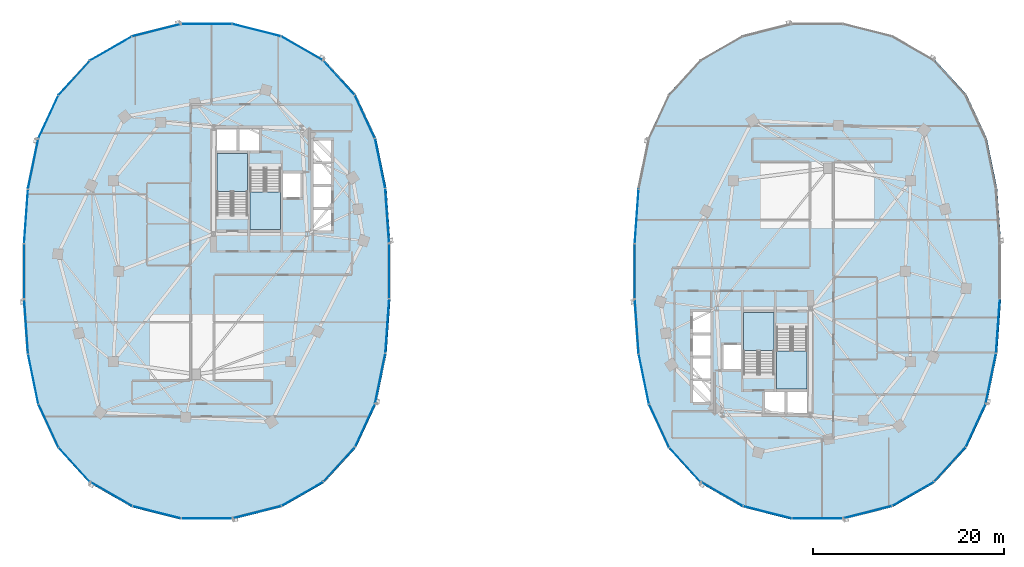
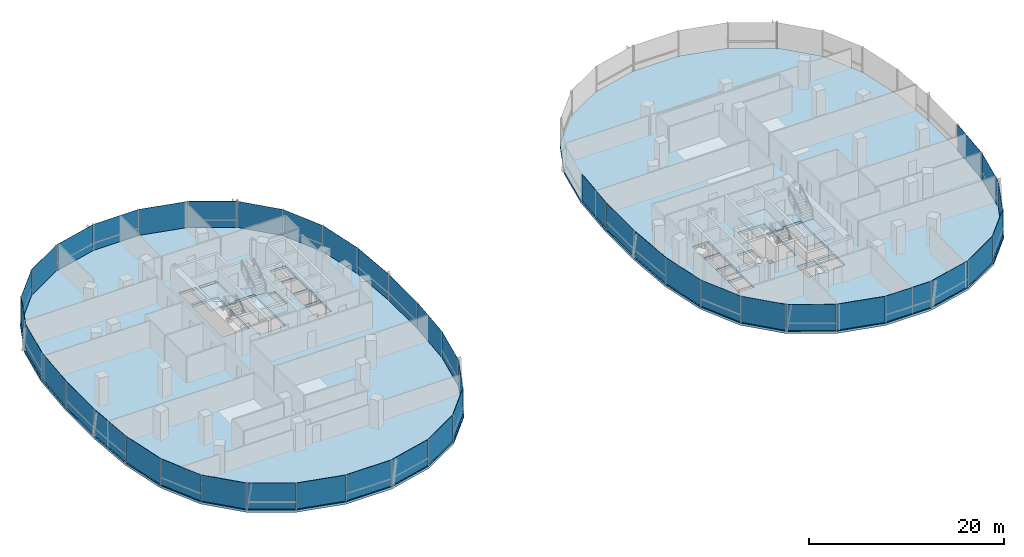
# One storey, part 9 of 21: 43 plates, 6 slabs, 11 elements without a shape of their own.
"""IFC4 building model written with IfcOpenShell, lengths in metres."""

from ifc_helpers import new_model, si_unit, direction, frame, origin, origin_2d, place, context, subcontext, project, spatial, polyline, rectangle, outline, extrude, material, layer, layer_set, type_object, element, aggregate, save


model = new_model("IFC4")

# Units and contexts
model_context = context("Model", 3, precision=1e-05, world=origin(), true_north=direction((0.0, 1.0)))
body_context = subcontext(model_context, "Body", "Model", "MODEL_VIEW")
ifc_project = project(units=[si_unit("LENGTHUNIT", "METRE"), si_unit("AREAUNIT", "SQUARE_METRE"), si_unit("VOLUMEUNIT", "CUBIC_METRE"), si_unit("PLANEANGLEUNIT", "RADIAN"), si_unit("MASSUNIT", "GRAM", prefix="KILO"), si_unit("THERMODYNAMICTEMPERATUREUNIT", "KELVIN"), si_unit("POWERUNIT", "WATT")], contexts=[model_context])

# Site, building, storey
site_placement = place(None, origin())
site = spatial("IfcSite", under=ifc_project, at=site_placement, CompositionType="ELEMENT")
building_placement = place(site_placement, origin())
building = spatial("IfcBuilding", under=site, at=building_placement, Name="Cundina Bronze Exchange", CompositionType="ELEMENT")
storey_placement = place(building_placement, frame((0.0, 0.0, 114.199951171875)))
storey = spatial("IfcBuildingStorey", under=building, at=storey_placement, Name="L29", CompositionType="ELEMENT", Elevation=114.199951171875)

# Curtain wall, plates
ifc_material_1 = material(Name="Anodised Bronze Aluminium 6063-T6", Category="aluminium")
curtain_wall_type = type_object("IfcCurtainWallType", Name="CWS-TRD-MID", PredefinedType="NOTDEFINED", material=ifc_material_1)
curtain_wall_1_placement = place(storey_placement, origin())
curtain_wall_1 = element("IfcCurtainWall", 1, at=curtain_wall_1_placement, inside=storey, type_object=curtain_wall_type, Name="L29 CW-03 Curtain Wall Run CWR-L29-W1", PredefinedType="NOTDEFINED")
ifc_material_2 = material(Name="Heat-Strengthened Solar-Control Bronze Safety Glass 28mm", Category="glass")
ifc_layer_1 = layer(ifc_material_2, 0.028076171875, Name="Heat-Strengthened Solar-Control Bronze Safety Glass 28mm", Category="glass")
ifc_layer_set_1 = layer_set([ifc_layer_1], Name="Heat-Strengthened Solar-Control Bronze Safety Glass 28mm")
plate_type_1 = type_object("IfcPlateType", Name="PLT-GLZ-VIS28", PredefinedType="CURTAIN_PANEL", material=ifc_layer_set_1)
plate_1_placement = place(storey_placement, frame((-13.81591796875, 11.269775390625, 0.02001953125), z_axis=(0.0, 0.0, 1.0), x_axis=(-0.201419845156, 0.979505000486, 0.0)))
plate_1 = element("IfcPlate", 2, at=plate_1_placement, type_object=plate_type_1, Name="CW-03 Glazed Panel 2", PredefinedType="CURTAIN_PANEL", context=body_context, shape_type="SweptSolid", body=[
    extrude(rectangle(XDim=5.306640625, YDim=0.028076171875, at=origin_2d()), origin(), (0.0, 0.0, 1.0), 3.260009765625),
])
plate_2_placement = place(storey_placement, frame((-15.413818359375, 16.177734375, 0.02001953125), z_axis=(0.0, 0.0, 1.0), x_axis=(-0.42084583328, 0.907132175932, 0.0)))
plate_2 = element("IfcPlate", 3, at=plate_2_placement, type_object=plate_type_1, Name="CW-03 Glazed Panel 3", PredefinedType="CURTAIN_PANEL", context=body_context, shape_type="SweptSolid", body=[
    extrude(rectangle(XDim=4.966552734375, YDim=0.028076171875, at=origin_2d()), origin(), (0.0, 0.0, 1.0), 3.260009765625),
])
plate_3_placement = place(storey_placement, frame((-18.1259765625, 20.267333984375, 0.02001953125), z_axis=(0.0, 0.0, 1.0), x_axis=(-0.674276610219, 0.73847887777, 0.0)))
plate_3 = element("IfcPlate", 4, at=plate_3_placement, type_object=plate_type_1, Name="CW-03 Glazed Panel 4", PredefinedType="CURTAIN_PANEL", context=body_context, shape_type="SweptSolid", body=[
    extrude(rectangle(XDim=4.86328125, YDim=0.028076171875, at=origin_2d()), origin(), (0.0, 0.0, 1.0), 3.260009765625),
])
plate_4_placement = place(storey_placement, frame((-21.980712890625, 23.34423828125, 0.02001953125), z_axis=(0.0, 0.0, 1.0), x_axis=(-0.867105478933, 0.498124571171, 0.0)))
plate_4 = element("IfcPlate", 5, at=plate_4_placement, type_object=plate_type_1, Name="CW-03 Glazed Panel 5", PredefinedType="CURTAIN_PANEL", context=body_context, shape_type="SweptSolid", body=[
    extrude(rectangle(XDim=5.021240234375, YDim=0.028076171875, at=origin_2d()), origin(), (0.0, 0.0, 1.0), 3.260009765625),
])
plate_5_placement = place(storey_placement, frame((-32.0, 25.905029296875, 0.02001953125), z_axis=(0.0, 0.0, 1.0), x_axis=(-1.0, 0.0, 0.0)))
plate_5 = element("IfcPlate", 6, at=plate_5_placement, type_object=plate_type_1, Name="CW-03 Glazed Panel 7", PredefinedType="CURTAIN_PANEL", context=body_context, shape_type="SweptSolid", body=[
    extrude(rectangle(XDim=5.323974609375, YDim=0.028076171875, at=origin_2d()), origin(), (0.0, 0.0, 1.0), 3.260009765625),
])

curtain_wall_2_placement = place(storey_placement, origin())
curtain_wall_2 = element("IfcCurtainWall", 7, at=curtain_wall_2_placement, inside=storey, type_object=curtain_wall_type, Name="L29 CW-03 Curtain Wall Run CWR-L29-W2", PredefinedType="NOTDEFINED")
plate_6_placement = place(storey_placement, frame((-37.255615234375, 25.256591796875, 0.02001953125), z_axis=(0.0, 0.0, 1.0), x_axis=(-0.969488149345, -0.245138182011, 0.0)))
plate_6 = element("IfcPlate", 8, at=plate_6_placement, type_object=plate_type_1, Name="CW-03 Glazed Panel 1", PredefinedType="CURTAIN_PANEL", context=body_context, shape_type="SweptSolid", body=[
    extrude(rectangle(XDim=5.2333984375, YDim=0.028076171875, at=origin_2d()), origin(), (0.0, 0.0, 1.0), 3.260009765625),
])
plate_7_placement = place(storey_placement, frame((-42.019287109375, 23.34423828125, 0.02001953125), z_axis=(0.0, 0.0, 1.0), x_axis=(-0.867105478933, -0.498124571171, 0.0)))
plate_7 = element("IfcPlate", 9, at=plate_7_placement, type_object=plate_type_1, Name="CW-03 Glazed Panel 2", PredefinedType="CURTAIN_PANEL", context=body_context, shape_type="SweptSolid", body=[
    extrude(rectangle(XDim=5.021240234375, YDim=0.028076171875, at=origin_2d()), origin(), (0.0, 0.0, 1.0), 3.260009765625),
])
plate_8_placement = place(storey_placement, frame((-45.8740234375, 20.267333984375, 0.02001953125), z_axis=(0.0, 0.0, 1.0), x_axis=(-0.674276610219, -0.73847887777, 0.0)))
plate_8 = element("IfcPlate", 10, at=plate_8_placement, type_object=plate_type_1, Name="CW-03 Glazed Panel 3", PredefinedType="CURTAIN_PANEL", context=body_context, shape_type="SweptSolid", body=[
    extrude(rectangle(XDim=4.86328125, YDim=0.028076171875, at=origin_2d()), origin(), (0.0, 0.0, 1.0), 3.260009765625),
])
plate_9_placement = place(storey_placement, frame((-48.586181640625, 16.177734375, 0.02001953125), z_axis=(0.0, 0.0, 1.0), x_axis=(-0.42084583328, -0.907132175932, 0.0)))
plate_9 = element("IfcPlate", 11, at=plate_9_placement, type_object=plate_type_1, Name="CW-03 Glazed Panel 4", PredefinedType="CURTAIN_PANEL", context=body_context, shape_type="SweptSolid", body=[
    extrude(rectangle(XDim=4.966552734375, YDim=0.028076171875, at=origin_2d()), origin(), (0.0, 0.0, 1.0), 3.260009765625),
])
plate_10_placement = place(storey_placement, frame((-50.9267578125, 5.783935546875, 0.02001953125), z_axis=(0.0, 0.0, 1.0), x_axis=(-0.070278787473, -0.997527389113, 0.0)))
plate_10 = element("IfcPlate", 12, at=plate_10_placement, type_object=plate_type_1, Name="CW-03 Glazed Panel 6", PredefinedType="CURTAIN_PANEL", context=body_context, shape_type="SweptSolid", body=[
    extrude(rectangle(XDim=5.644287109375, YDim=0.028076171875, at=origin_2d()), origin(), (0.0, 0.0, 1.0), 3.260009765625),
])
plate_11_placement = place(storey_placement, frame((-51.1279296875, 0.0, 0.02001953125), z_axis=(0.0, 0.0, 1.0), x_axis=(0.0, -1.0, 0.0)))
plate_11 = element("IfcPlate", 13, at=plate_11_placement, type_object=plate_type_1, Name="CW-03 Glazed Panel 7", PredefinedType="CURTAIN_PANEL", context=body_context, shape_type="SweptSolid", body=[
    extrude(rectangle(XDim=5.77587890625, YDim=0.028076171875, at=origin_2d()), origin(), (0.0, 0.0, 1.0), 3.260009765625),
])

curtain_wall_3_placement = place(storey_placement, origin())
curtain_wall_3 = element("IfcCurtainWall", 14, at=curtain_wall_3_placement, inside=storey, type_object=curtain_wall_type, Name="L29 CW-03 Curtain Wall Run CWR-L29-W3", PredefinedType="NOTDEFINED")
plate_12_placement = place(storey_placement, frame((-50.9267578125, -5.783935546875, 0.02001953125), z_axis=(0.0, 0.0, 1.0), x_axis=(0.070278787473, -0.997527389113, 0.0)))
plate_12 = element("IfcPlate", 15, at=plate_12_placement, type_object=plate_type_1, Name="CW-03 Glazed Panel 1", PredefinedType="CURTAIN_PANEL", context=body_context, shape_type="SweptSolid", body=[
    extrude(rectangle(XDim=5.644287109375, YDim=0.028076171875, at=origin_2d()), origin(), (0.0, 0.0, 1.0), 3.260009765625),
])
plate_13_placement = place(storey_placement, frame((-50.18408203125, -11.269775390625, 0.02001953125), z_axis=(0.0, 0.0, 1.0), x_axis=(0.201419845156, -0.979505000486, 0.0)))
plate_13 = element("IfcPlate", 16, at=plate_13_placement, type_object=plate_type_1, Name="CW-03 Glazed Panel 2", PredefinedType="CURTAIN_PANEL", context=body_context, shape_type="SweptSolid", body=[
    extrude(rectangle(XDim=5.306640625, YDim=0.028076171875, at=origin_2d()), origin(), (0.0, 0.0, 1.0), 3.260009765625),
])
plate_14_placement = place(storey_placement, frame((-48.586181640625, -16.177734375, 0.02001953125), z_axis=(0.0, 0.0, 1.0), x_axis=(0.42084583328, -0.907132175932, 0.0)))
plate_14 = element("IfcPlate", 17, at=plate_14_placement, type_object=plate_type_1, Name="CW-03 Glazed Panel 3", PredefinedType="CURTAIN_PANEL", context=body_context, shape_type="SweptSolid", body=[
    extrude(rectangle(XDim=4.966552734375, YDim=0.028076171875, at=origin_2d()), origin(), (0.0, 0.0, 1.0), 3.260009765625),
])
plate_15_placement = place(storey_placement, frame((-42.019287109375, -23.34423828125, 0.02001953125), z_axis=(0.0, 0.0, 1.0), x_axis=(0.867105478933, -0.498124571171, 0.0)))
plate_15 = element("IfcPlate", 18, at=plate_15_placement, type_object=plate_type_1, Name="CW-03 Glazed Panel 5", PredefinedType="CURTAIN_PANEL", context=body_context, shape_type="SweptSolid", body=[
    extrude(rectangle(XDim=5.021240234375, YDim=0.028076171875, at=origin_2d()), origin(), (0.0, 0.0, 1.0), 3.260009765625),
])
plate_16_placement = place(storey_placement, frame((-37.255615234375, -25.256591796875, 0.02001953125), z_axis=(0.0, 0.0, 1.0), x_axis=(0.969488149345, -0.245138182011, 0.0)))
plate_16 = element("IfcPlate", 19, at=plate_16_placement, type_object=plate_type_1, Name="CW-03 Glazed Panel 6", PredefinedType="CURTAIN_PANEL", context=body_context, shape_type="SweptSolid", body=[
    extrude(rectangle(XDim=5.2333984375, YDim=0.028076171875, at=origin_2d()), origin(), (0.0, 0.0, 1.0), 3.260009765625),
])
plate_17_placement = place(storey_placement, frame((-32.0, -25.905029296875, 0.02001953125), z_axis=(0.0, 0.0, 1.0), x_axis=(1.0, 0.0, 0.0)))
plate_17 = element("IfcPlate", 20, at=plate_17_placement, type_object=plate_type_1, Name="CW-03 Glazed Panel 7", PredefinedType="CURTAIN_PANEL", context=body_context, shape_type="SweptSolid", body=[
    extrude(rectangle(XDim=5.323974609375, YDim=0.028076171875, at=origin_2d()), origin(), (0.0, 0.0, 1.0), 3.260009765625),
])

curtain_wall_4_placement = place(storey_placement, origin())
curtain_wall_4 = element("IfcCurtainWall", 21, at=curtain_wall_4_placement, inside=storey, type_object=curtain_wall_type, Name="L29 CW-03 Curtain Wall Run CWR-L29-W4", PredefinedType="NOTDEFINED")
plate_18_placement = place(storey_placement, frame((-26.744384765625, -25.256591796875, 0.02001953125), z_axis=(0.0, 0.0, 1.0), x_axis=(0.969488149345, 0.245138182011, 0.0)))
plate_18 = element("IfcPlate", 22, at=plate_18_placement, type_object=plate_type_1, Name="CW-03 Glazed Panel 1", PredefinedType="CURTAIN_PANEL", context=body_context, shape_type="SweptSolid", body=[
    extrude(rectangle(XDim=5.2333984375, YDim=0.028076171875, at=origin_2d()), origin(), (0.0, 0.0, 1.0), 3.260009765625),
])
plate_19_placement = place(storey_placement, frame((-21.980712890625, -23.34423828125, 0.02001953125), z_axis=(0.0, 0.0, 1.0), x_axis=(0.867105478933, 0.498124571171, 0.0)))
plate_19 = element("IfcPlate", 23, at=plate_19_placement, type_object=plate_type_1, Name="CW-03 Glazed Panel 2", PredefinedType="CURTAIN_PANEL", context=body_context, shape_type="SweptSolid", body=[
    extrude(rectangle(XDim=5.021240234375, YDim=0.028076171875, at=origin_2d()), origin(), (0.0, 0.0, 1.0), 3.260009765625),
])
plate_20_placement = place(storey_placement, frame((-15.413818359375, -16.177734375, 0.02001953125), z_axis=(0.0, 0.0, 1.0), x_axis=(0.42084583328, 0.907132175932, 0.0)))
plate_20 = element("IfcPlate", 24, at=plate_20_placement, type_object=plate_type_1, Name="CW-03 Glazed Panel 4", PredefinedType="CURTAIN_PANEL", context=body_context, shape_type="SweptSolid", body=[
    extrude(rectangle(XDim=4.966552734375, YDim=0.028076171875, at=origin_2d()), origin(), (0.0, 0.0, 1.0), 3.260009765625),
])
plate_21_placement = place(storey_placement, frame((-13.81591796875, -11.269775390625, 0.02001953125), z_axis=(0.0, 0.0, 1.0), x_axis=(0.201419845156, 0.979505000486, 0.0)))
plate_21 = element("IfcPlate", 25, at=plate_21_placement, type_object=plate_type_1, Name="CW-03 Glazed Panel 5", PredefinedType="CURTAIN_PANEL", context=body_context, shape_type="SweptSolid", body=[
    extrude(rectangle(XDim=5.306640625, YDim=0.028076171875, at=origin_2d()), origin(), (0.0, 0.0, 1.0), 3.260009765625),
])
plate_22_placement = place(storey_placement, frame((-13.0732421875, -5.783935546875, 0.02001953125), z_axis=(0.0, 0.0, 1.0), x_axis=(0.070278787473, 0.997527389113, 0.0)))
plate_22 = element("IfcPlate", 26, at=plate_22_placement, type_object=plate_type_1, Name="CW-03 Glazed Panel 6", PredefinedType="CURTAIN_PANEL", context=body_context, shape_type="SweptSolid", body=[
    extrude(rectangle(XDim=5.644287109375, YDim=0.028076171875, at=origin_2d()), origin(), (0.0, 0.0, 1.0), 3.260009765625),
])
plate_23_placement = place(storey_placement, frame((-12.8720703125, 0.0, 0.02001953125), z_axis=(0.0, 0.0, 1.0), x_axis=(0.0, 1.0, 0.0)))
plate_23 = element("IfcPlate", 27, at=plate_23_placement, type_object=plate_type_1, Name="CW-03 Glazed Panel 7", PredefinedType="CURTAIN_PANEL", context=body_context, shape_type="SweptSolid", body=[
    extrude(rectangle(XDim=5.77587890625, YDim=0.028076171875, at=origin_2d()), origin(), (0.0, 0.0, 1.0), 3.260009765625),
])

curtain_wall_5_placement = place(storey_placement, origin())
curtain_wall_5 = element("IfcCurtainWall", 28, at=curtain_wall_5_placement, inside=storey, type_object=curtain_wall_type, Name="L29 CW-03 Curtain Wall Run CWR-L29-E2", PredefinedType="NOTDEFINED")
plate_24_placement = place(storey_placement, frame((13.0732421875, 5.783935546875, 0.02001953125), z_axis=(0.0, 0.0, 1.0), x_axis=(-0.070278787473, -0.997527389113, 0.0)))
plate_24 = element("IfcPlate", 29, at=plate_24_placement, type_object=plate_type_1, Name="CW-03 Glazed Panel 6", PredefinedType="CURTAIN_PANEL", context=body_context, shape_type="SweptSolid", body=[
    extrude(rectangle(XDim=5.644287109375, YDim=0.028076171875, at=origin_2d()), origin(), (0.0, 0.0, 1.0), 3.260009765625),
])
plate_25_placement = place(storey_placement, frame((12.8720703125, 0.0, 0.02001953125), z_axis=(0.0, 0.0, 1.0), x_axis=(0.0, -1.0, 0.0)))
plate_25 = element("IfcPlate", 30, at=plate_25_placement, type_object=plate_type_1, Name="CW-03 Glazed Panel 7", PredefinedType="CURTAIN_PANEL", context=body_context, shape_type="SweptSolid", body=[
    extrude(rectangle(XDim=5.77587890625, YDim=0.028076171875, at=origin_2d()), origin(), (0.0, 0.0, 1.0), 3.260009765625),
])
aggregate(curtain_wall_5, [plate_24, plate_25])

curtain_wall_6_placement = place(storey_placement, origin())
curtain_wall_6 = element("IfcCurtainWall", 31, at=curtain_wall_6_placement, inside=storey, type_object=curtain_wall_type, Name="L29 CW-03 Curtain Wall Run CWR-L29-E3", PredefinedType="NOTDEFINED")
plate_26_placement = place(storey_placement, frame((13.0732421875, -5.783935546875, 0.02001953125), z_axis=(0.0, 0.0, 1.0), x_axis=(0.070278787473, -0.997527389113, 0.0)))
plate_26 = element("IfcPlate", 32, at=plate_26_placement, type_object=plate_type_1, Name="CW-03 Glazed Panel 1", PredefinedType="CURTAIN_PANEL", context=body_context, shape_type="SweptSolid", body=[
    extrude(rectangle(XDim=5.644287109375, YDim=0.028076171875, at=origin_2d()), origin(), (0.0, 0.0, 1.0), 3.260009765625),
])
plate_27_placement = place(storey_placement, frame((13.81591796875, -11.269775390625, 0.02001953125), z_axis=(0.0, 0.0, 1.0), x_axis=(0.201419845156, -0.979505000486, 0.0)))
plate_27 = element("IfcPlate", 33, at=plate_27_placement, type_object=plate_type_1, Name="CW-03 Glazed Panel 2", PredefinedType="CURTAIN_PANEL", context=body_context, shape_type="SweptSolid", body=[
    extrude(rectangle(XDim=5.306640625, YDim=0.028076171875, at=origin_2d()), origin(), (0.0, 0.0, 1.0), 3.260009765625),
])
plate_28_placement = place(storey_placement, frame((15.413818359375, -16.177734375, 0.02001953125), z_axis=(0.0, 0.0, 1.0), x_axis=(0.42084583328, -0.907132175932, 0.0)))
plate_28 = element("IfcPlate", 34, at=plate_28_placement, type_object=plate_type_1, Name="CW-03 Glazed Panel 3", PredefinedType="CURTAIN_PANEL", context=body_context, shape_type="SweptSolid", body=[
    extrude(rectangle(XDim=4.966552734375, YDim=0.028076171875, at=origin_2d()), origin(), (0.0, 0.0, 1.0), 3.260009765625),
])
plate_29_placement = place(storey_placement, frame((21.980712890625, -23.34423828125, 0.02001953125), z_axis=(0.0, 0.0, 1.0), x_axis=(0.867105478933, -0.498124571171, 0.0)))
plate_29 = element("IfcPlate", 35, at=plate_29_placement, type_object=plate_type_1, Name="CW-03 Glazed Panel 5", PredefinedType="CURTAIN_PANEL", context=body_context, shape_type="SweptSolid", body=[
    extrude(rectangle(XDim=5.021240234375, YDim=0.028076171875, at=origin_2d()), origin(), (0.0, 0.0, 1.0), 3.260009765625),
])
plate_30_placement = place(storey_placement, frame((26.744384765625, -25.256591796875, 0.02001953125), z_axis=(0.0, 0.0, 1.0), x_axis=(0.969488149345, -0.245138182011, 0.0)))
plate_30 = element("IfcPlate", 36, at=plate_30_placement, type_object=plate_type_1, Name="CW-03 Glazed Panel 6", PredefinedType="CURTAIN_PANEL", context=body_context, shape_type="SweptSolid", body=[
    extrude(rectangle(XDim=5.2333984375, YDim=0.028076171875, at=origin_2d()), origin(), (0.0, 0.0, 1.0), 3.260009765625),
])
plate_31_placement = place(storey_placement, frame((32.0, -25.905029296875, 0.02001953125), z_axis=(0.0, 0.0, 1.0), x_axis=(1.0, 0.0, 0.0)))
plate_31 = element("IfcPlate", 37, at=plate_31_placement, type_object=plate_type_1, Name="CW-03 Glazed Panel 7", PredefinedType="CURTAIN_PANEL", context=body_context, shape_type="SweptSolid", body=[
    extrude(rectangle(XDim=5.323974609375, YDim=0.028076171875, at=origin_2d()), origin(), (0.0, 0.0, 1.0), 3.260009765625),
])

curtain_wall_7_placement = place(storey_placement, origin())
curtain_wall_7 = element("IfcCurtainWall", 38, at=curtain_wall_7_placement, inside=storey, type_object=curtain_wall_type, Name="L29 CW-03 Curtain Wall Run CWR-L29-E4", PredefinedType="NOTDEFINED")
plate_32_placement = place(storey_placement, frame((37.255615234375, -25.256591796875, 0.02001953125), z_axis=(0.0, 0.0, 1.0), x_axis=(0.969488149345, 0.245138182011, 0.0)))
plate_32 = element("IfcPlate", 39, at=plate_32_placement, type_object=plate_type_1, Name="CW-03 Glazed Panel 1", PredefinedType="CURTAIN_PANEL", context=body_context, shape_type="SweptSolid", body=[
    extrude(rectangle(XDim=5.2333984375, YDim=0.028076171875, at=origin_2d()), origin(), (0.0, 0.0, 1.0), 3.260009765625),
])
plate_33_placement = place(storey_placement, frame((42.019287109375, -23.34423828125, 0.02001953125), z_axis=(0.0, 0.0, 1.0), x_axis=(0.867105478933, 0.498124571171, 0.0)))
plate_33 = element("IfcPlate", 40, at=plate_33_placement, type_object=plate_type_1, Name="CW-03 Glazed Panel 2", PredefinedType="CURTAIN_PANEL", context=body_context, shape_type="SweptSolid", body=[
    extrude(rectangle(XDim=5.021240234375, YDim=0.028076171875, at=origin_2d()), origin(), (0.0, 0.0, 1.0), 3.260009765625),
])
plate_34_placement = place(storey_placement, frame((48.586181640625, -16.177734375, 0.02001953125), z_axis=(0.0, 0.0, 1.0), x_axis=(0.42084583328, 0.907132175932, 0.0)))
plate_34 = element("IfcPlate", 41, at=plate_34_placement, type_object=plate_type_1, Name="CW-03 Glazed Panel 4", PredefinedType="CURTAIN_PANEL", context=body_context, shape_type="SweptSolid", body=[
    extrude(rectangle(XDim=4.966552734375, YDim=0.028076171875, at=origin_2d()), origin(), (0.0, 0.0, 1.0), 3.260009765625),
])
plate_35_placement = place(storey_placement, frame((50.18408203125, -11.269775390625, 0.02001953125), z_axis=(0.0, 0.0, 1.0), x_axis=(0.201419845156, 0.979505000486, 0.0)))
plate_35 = element("IfcPlate", 42, at=plate_35_placement, type_object=plate_type_1, Name="CW-03 Glazed Panel 5", PredefinedType="CURTAIN_PANEL", context=body_context, shape_type="SweptSolid", body=[
    extrude(rectangle(XDim=5.306640625, YDim=0.028076171875, at=origin_2d()), origin(), (0.0, 0.0, 1.0), 3.260009765625),
])
plate_36_placement = place(storey_placement, frame((50.9267578125, -5.783935546875, 0.02001953125), z_axis=(0.0, 0.0, 1.0), x_axis=(0.070278787473, 0.997527389113, 0.0)))
plate_36 = element("IfcPlate", 43, at=plate_36_placement, type_object=plate_type_1, Name="CW-03 Glazed Panel 6", PredefinedType="CURTAIN_PANEL", context=body_context, shape_type="SweptSolid", body=[
    extrude(rectangle(XDim=5.644287109375, YDim=0.028076171875, at=origin_2d()), origin(), (0.0, 0.0, 1.0), 3.260009765625),
])

# Plate
ifc_material_3 = material(Name="Dark Bronze Spandrel Glass Panel 32mm", Category="glass")
ifc_layer_2 = layer(ifc_material_3, 0.031982421875, Name="Dark Bronze Spandrel Glass Panel 32mm", Category="glass")
ifc_layer_set_2 = layer_set([ifc_layer_2], Name="Dark Bronze Spandrel Glass Panel 32mm")
plate_type_2 = type_object("IfcPlateType", Name="PLT-SPN-BRZ32", PredefinedType="CURTAIN_PANEL", material=ifc_layer_set_2)
plate_37_placement = place(storey_placement, frame((-13.0732421875, 5.783935546875, 0.02001953125), z_axis=(0.0, 0.0, 1.0), x_axis=(-0.070278787473, 0.997527389113, 0.0)))
plate_37 = element("IfcPlate", 44, at=plate_37_placement, type_object=plate_type_2, Name="CW-03 Glazed Panel 1", PredefinedType="CURTAIN_PANEL", context=body_context, shape_type="SweptSolid", body=[
    extrude(rectangle(XDim=5.644287109375, YDim=0.031982421875, at=origin_2d()), origin(), (0.0, 0.0, 1.0), 3.260009765625),
])

plate_38_placement = place(storey_placement, frame((-26.744384765625, 25.256591796875, 0.02001953125), z_axis=(0.0, 0.0, 1.0), x_axis=(-0.969488149345, 0.245138182011, 0.0)))
plate_38 = element("IfcPlate", 45, at=plate_38_placement, type_object=plate_type_2, Name="CW-03 Glazed Panel 6", PredefinedType="CURTAIN_PANEL", context=body_context, shape_type="SweptSolid", body=[
    extrude(rectangle(XDim=5.2333984375, YDim=0.031982421875, at=origin_2d()), origin(), (0.0, 0.0, 1.0), 3.260009765625),
])

aggregate(curtain_wall_1, [plate_37, plate_1, plate_2, plate_3, plate_4, plate_38, plate_5])

plate_39_placement = place(storey_placement, frame((-50.18408203125, 11.269775390625, 0.02001953125), z_axis=(0.0, 0.0, 1.0), x_axis=(-0.201419845156, -0.979505000486, 0.0)))
plate_39 = element("IfcPlate", 46, at=plate_39_placement, type_object=plate_type_2, Name="CW-03 Glazed Panel 5", PredefinedType="CURTAIN_PANEL", context=body_context, shape_type="SweptSolid", body=[
    extrude(rectangle(XDim=5.306640625, YDim=0.031982421875, at=origin_2d()), origin(), (0.0, 0.0, 1.0), 3.260009765625),
])

aggregate(curtain_wall_2, [plate_6, plate_7, plate_8, plate_9, plate_39, plate_10, plate_11])

plate_40_placement = place(storey_placement, frame((-45.8740234375, -20.267333984375, 0.02001953125), z_axis=(0.0, 0.0, 1.0), x_axis=(0.674276610219, -0.73847887777, 0.0)))
plate_40 = element("IfcPlate", 47, at=plate_40_placement, type_object=plate_type_2, Name="CW-03 Glazed Panel 4", PredefinedType="CURTAIN_PANEL", context=body_context, shape_type="SweptSolid", body=[
    extrude(rectangle(XDim=4.86328125, YDim=0.031982421875, at=origin_2d()), origin(), (0.0, 0.0, 1.0), 3.260009765625),
])

aggregate(curtain_wall_3, [plate_12, plate_13, plate_14, plate_40, plate_15, plate_16, plate_17])

plate_41_placement = place(storey_placement, frame((-18.1259765625, -20.267333984375, 0.02001953125), z_axis=(0.0, 0.0, 1.0), x_axis=(0.674276610219, 0.73847887777, 0.0)))
plate_41 = element("IfcPlate", 48, at=plate_41_placement, type_object=plate_type_2, Name="CW-03 Glazed Panel 3", PredefinedType="CURTAIN_PANEL", context=body_context, shape_type="SweptSolid", body=[
    extrude(rectangle(XDim=4.86328125, YDim=0.031982421875, at=origin_2d()), origin(), (0.0, 0.0, 1.0), 3.260009765625),
])

aggregate(curtain_wall_4, [plate_18, plate_19, plate_41, plate_20, plate_21, plate_22, plate_23])

plate_42_placement = place(storey_placement, frame((18.1259765625, -20.267333984375, 0.02001953125), z_axis=(0.0, 0.0, 1.0), x_axis=(0.674276610219, -0.73847887777, 0.0)))
plate_42 = element("IfcPlate", 49, at=plate_42_placement, type_object=plate_type_2, Name="CW-03 Glazed Panel 4", PredefinedType="CURTAIN_PANEL", context=body_context, shape_type="SweptSolid", body=[
    extrude(rectangle(XDim=4.86328125, YDim=0.031982421875, at=origin_2d()), origin(), (0.0, 0.0, 1.0), 3.260009765625),
])

aggregate(curtain_wall_6, [plate_26, plate_27, plate_28, plate_42, plate_29, plate_30, plate_31])

plate_43_placement = place(storey_placement, frame((45.8740234375, -20.267333984375, 0.02001953125), z_axis=(0.0, 0.0, 1.0), x_axis=(0.674276610219, 0.73847887777, 0.0)))
plate_43 = element("IfcPlate", 50, at=plate_43_placement, type_object=plate_type_2, Name="CW-03 Glazed Panel 3", PredefinedType="CURTAIN_PANEL", context=body_context, shape_type="SweptSolid", body=[
    extrude(rectangle(XDim=4.86328125, YDim=0.031982421875, at=origin_2d()), origin(), (0.0, 0.0, 1.0), 3.260009765625),
])

aggregate(curtain_wall_7, [plate_32, plate_33, plate_43, plate_34, plate_35, plate_36])

# Stair, slab
ifc_material_4 = material(Name="Concrete C40/50", Category="concrete")
stair_type = type_object("IfcStairType", Name="STR-OFF-360", PredefinedType="HALF_TURN_STAIR", material=ifc_material_4)
stair_1_placement = place(storey_placement, origin())
stair_1 = element("IfcStair", 51, at=stair_1_placement, inside=storey, type_object=stair_type, Name="L29 Smokeproof Exit Stair W1", PredefinedType="HALF_TURN_STAIR")
ifc_layer_3 = layer(ifc_material_4, 0.199951171875, Name="Concrete C40/50", Category="concrete")
ifc_layer_set_3 = layer_set([ifc_layer_3], Name="Concrete C40/50")
slab_type_1 = type_object("IfcSlabType", Name="SLB-LND-200", PredefinedType="LANDING", material=ifc_layer_set_3)
slab_1_placement = place(storey_placement, frame((0.0, 0.0, 1.60009765625)))
slab_1 = element("IfcSlab", 52, at=slab_1_placement, type_object=slab_type_1, Name="ST-W1 landing 1", PredefinedType="LANDING", context=body_context, shape_type="SweptSolid", body=[
    extrude(outline(polyline([(-27.739990234375, 8.3701171875), (-27.739990234375, 12.35009765625), (-30.89990234375, 12.35009765625), (-30.89990234375, 8.3701171875), (-27.739990234375, 8.3701171875)])), origin(), (0.0, 0.0, 1.0), 0.199951171875),
])
aggregate(stair_1, [slab_1])

stair_2_placement = place(storey_placement, origin())
stair_2 = element("IfcStair", 53, at=stair_2_placement, inside=storey, type_object=stair_type, Name="L29 Smokeproof Exit Stair W2", PredefinedType="HALF_TURN_STAIR")
slab_2_placement = place(storey_placement, frame((0.0, 0.0, 1.60009765625)))
slab_2 = element("IfcSlab", 54, at=slab_2_placement, type_object=slab_type_1, Name="ST-W2 landing 1", PredefinedType="LANDING", context=body_context, shape_type="SweptSolid", body=[
    extrude(outline(polyline([(-27.43994140625, 8.330078125), (-27.43994140625, 4.35009765625), (-24.280029296875, 4.35009765625), (-24.280029296875, 8.330078125), (-27.43994140625, 8.330078125)])), origin(), (0.0, 0.0, 1.0), 0.199951171875),
])
aggregate(stair_2, [slab_2])

stair_3_placement = place(storey_placement, origin())
stair_3 = element("IfcStair", 55, at=stair_3_placement, inside=storey, type_object=stair_type, Name="L29 Smokeproof Exit Stair E1", PredefinedType="HALF_TURN_STAIR")
slab_3_placement = place(storey_placement, frame((0.0, 0.0, 1.60009765625)))
slab_3 = element("IfcSlab", 56, at=slab_3_placement, type_object=slab_type_1, Name="ST-E1 landing 1", PredefinedType="LANDING", context=body_context, shape_type="SweptSolid", body=[
    extrude(outline(polyline([(27.739990234375, -8.3701171875), (27.739990234375, -12.35009765625), (30.89990234375, -12.35009765625), (30.89990234375, -8.3701171875), (27.739990234375, -8.3701171875)])), origin(), (0.0, 0.0, 1.0), 0.199951171875),
])
aggregate(stair_3, [slab_3])

stair_4_placement = place(storey_placement, origin())
stair_4 = element("IfcStair", 57, at=stair_4_placement, inside=storey, type_object=stair_type, Name="L29 Smokeproof Exit Stair E2", PredefinedType="HALF_TURN_STAIR")
slab_4_placement = place(storey_placement, frame((0.0, 0.0, 1.60009765625)))
slab_4 = element("IfcSlab", 58, at=slab_4_placement, type_object=slab_type_1, Name="ST-E2 landing 1", PredefinedType="LANDING", context=body_context, shape_type="SweptSolid", body=[
    extrude(outline(polyline([(27.43994140625, -8.330078125), (27.43994140625, -4.35009765625), (24.280029296875, -4.35009765625), (24.280029296875, -8.330078125), (27.43994140625, -8.330078125)])), origin(), (0.0, 0.0, 1.0), 0.199951171875),
])
aggregate(stair_4, [slab_4])

# Slabs
ifc_material_5 = material(Name="Concrete C50/60", Category="concrete")
ifc_layer_4 = layer(ifc_material_5, 0.300048828125, Name="Concrete C50/60", Category="concrete")
ifc_layer_set_4 = layer_set([ifc_layer_4], Name="Concrete C50/60")
slab_type_2 = type_object("IfcSlabType", Name="SLB-TRD-300", PredefinedType="FLOOR", material=ifc_layer_set_4)
slab_5_placement = place(storey_placement, frame((0.0, 0.0, -0.300048828125)))
element("IfcSlab", 59, at=slab_5_placement, inside=storey, type_object=slab_type_2, Name="L29 Leg W Structural Floor Slab", PredefinedType="FLOOR", context=body_context, shape_type="SweptSolid", body=[
    extrude(outline(polyline([(-12.741943359375, 2.93310546875), (-13.14501953125, 8.653076171875), (-14.23193359375, 13.93896484375), (-16.360107421875, 18.52587890625), (-19.699951171875, 22.18408203125), (-24.132080078125, 24.72998046875), (-29.29296875, 26.034912109375), (-34.70703125, 26.034912109375), (-39.867919921875, 24.72998046875), (-44.300048828125, 22.18408203125), (-47.639892578125, 18.52587890625), (-49.76806640625, 13.93896484375), (-50.85498046875, 8.653076171875), (-51.258056640625, 2.93310546875), (-51.258056640625, -2.93310546875), (-50.85498046875, -8.653076171875), (-49.76806640625, -13.93896484375), (-47.639892578125, -18.52587890625), (-44.300048828125, -22.18408203125), (-39.867919921875, -24.72998046875), (-34.70703125, -26.034912109375), (-29.29296875, -26.034912109375), (-24.132080078125, -24.72998046875), (-19.699951171875, -22.18408203125), (-16.360107421875, -18.52587890625), (-14.23193359375, -13.93896484375), (-13.14501953125, -8.653076171875), (-12.741943359375, -2.93310546875), (-12.741943359375, 2.93310546875)]), holes=[polyline([(-27.739990234375, 5.85009765625), (-27.739990234375, 12.35009765625), (-30.89990234375, 12.35009765625), (-30.89990234375, 5.85009765625), (-27.739990234375, 5.85009765625)]), polyline([(-27.43994140625, 10.85009765625), (-27.43994140625, 4.35009765625), (-24.280029296875, 4.35009765625), (-24.280029296875, 10.85009765625), (-27.43994140625, 10.85009765625)]), polyline([(-23.97998046875, 10.25), (-22.179931640625, 10.25), (-22.179931640625, 7.75), (-23.97998046875, 7.75), (-23.97998046875, 10.25)]), polyline([(-30.89990234375, 14.949951171875), (-28.85009765625, 14.949951171875), (-28.85009765625, 12.64990234375), (-30.89990234375, 12.64990234375), (-30.89990234375, 14.949951171875)]), polyline([(-28.550048828125, 14.949951171875), (-26.5, 14.949951171875), (-26.5, 12.64990234375), (-28.550048828125, 12.64990234375), (-28.550048828125, 14.949951171875)]), polyline([(-20.800048828125, 13.699951171875), (-18.949951171875, 13.699951171875), (-18.949951171875, 11.449951171875), (-20.800048828125, 11.449951171875), (-20.800048828125, 13.699951171875)]), polyline([(-20.800048828125, 11.300048828125), (-18.949951171875, 11.300048828125), (-18.949951171875, 9.050048828125), (-20.800048828125, 9.050048828125), (-20.800048828125, 11.300048828125)]), polyline([(-20.800048828125, 8.89990234375), (-18.949951171875, 8.89990234375), (-18.949951171875, 6.64990234375), (-20.800048828125, 6.64990234375), (-20.800048828125, 8.89990234375)]), polyline([(-20.800048828125, 6.5), (-18.949951171875, 6.5), (-18.949951171875, 4.25), (-20.800048828125, 4.25), (-20.800048828125, 6.5)])]), origin(), (0.0, 0.0, 1.0), 0.300048828125),
])
slab_6_placement = place(storey_placement, frame((0.0, 0.0, -0.300048828125)))
element("IfcSlab", 60, at=slab_6_placement, inside=storey, type_object=slab_type_2, Name="L29 Leg E Structural Floor Slab", PredefinedType="FLOOR", context=body_context, shape_type="SweptSolid", body=[
    extrude(outline(polyline([(51.258056640625, 2.93310546875), (50.85498046875, 8.653076171875), (49.76806640625, 13.93896484375), (47.639892578125, 18.52587890625), (44.300048828125, 22.18408203125), (39.867919921875, 24.72998046875), (34.70703125, 26.034912109375), (29.29296875, 26.034912109375), (24.132080078125, 24.72998046875), (19.699951171875, 22.18408203125), (16.360107421875, 18.52587890625), (14.23193359375, 13.93896484375), (13.14501953125, 8.653076171875), (12.741943359375, 2.93310546875), (12.741943359375, -2.93310546875), (13.14501953125, -8.653076171875), (14.23193359375, -13.93896484375), (16.360107421875, -18.52587890625), (19.699951171875, -22.18408203125), (24.132080078125, -24.72998046875), (29.29296875, -26.034912109375), (34.70703125, -26.034912109375), (39.867919921875, -24.72998046875), (44.300048828125, -22.18408203125), (47.639892578125, -18.52587890625), (49.76806640625, -13.93896484375), (50.85498046875, -8.653076171875), (51.258056640625, -2.93310546875), (51.258056640625, 2.93310546875)]), holes=[polyline([(27.739990234375, -5.85009765625), (27.739990234375, -12.35009765625), (30.89990234375, -12.35009765625), (30.89990234375, -5.85009765625), (27.739990234375, -5.85009765625)]), polyline([(27.43994140625, -10.85009765625), (27.43994140625, -4.35009765625), (24.280029296875, -4.35009765625), (24.280029296875, -10.85009765625), (27.43994140625, -10.85009765625)]), polyline([(22.179931640625, -7.75), (23.97998046875, -7.75), (23.97998046875, -10.25), (22.179931640625, -10.25), (22.179931640625, -7.75)]), polyline([(28.85009765625, -12.64990234375), (30.89990234375, -12.64990234375), (30.89990234375, -14.949951171875), (28.85009765625, -14.949951171875), (28.85009765625, -12.64990234375)]), polyline([(26.5, -12.64990234375), (28.550048828125, -12.64990234375), (28.550048828125, -14.949951171875), (26.5, -14.949951171875), (26.5, -12.64990234375)]), polyline([(18.949951171875, -11.449951171875), (20.800048828125, -11.449951171875), (20.800048828125, -13.699951171875), (18.949951171875, -13.699951171875), (18.949951171875, -11.449951171875)]), polyline([(18.949951171875, -9.050048828125), (20.800048828125, -9.050048828125), (20.800048828125, -11.300048828125), (18.949951171875, -11.300048828125), (18.949951171875, -9.050048828125)]), polyline([(18.949951171875, -6.64990234375), (20.800048828125, -6.64990234375), (20.800048828125, -8.89990234375), (18.949951171875, -8.89990234375), (18.949951171875, -6.64990234375)]), polyline([(18.949951171875, -4.25), (20.800048828125, -4.25), (20.800048828125, -6.5), (18.949951171875, -6.5), (18.949951171875, -4.25)])]), origin(), (0.0, 0.0, 1.0), 0.300048828125),
])

save(model, "model.ifc")
